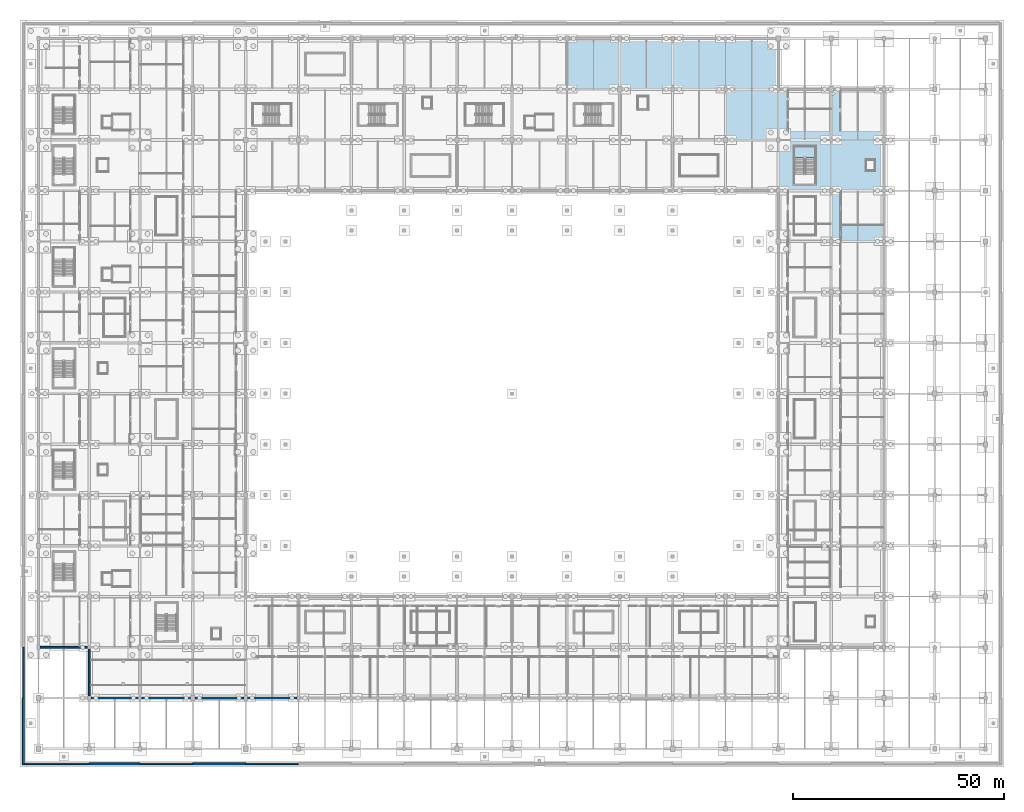
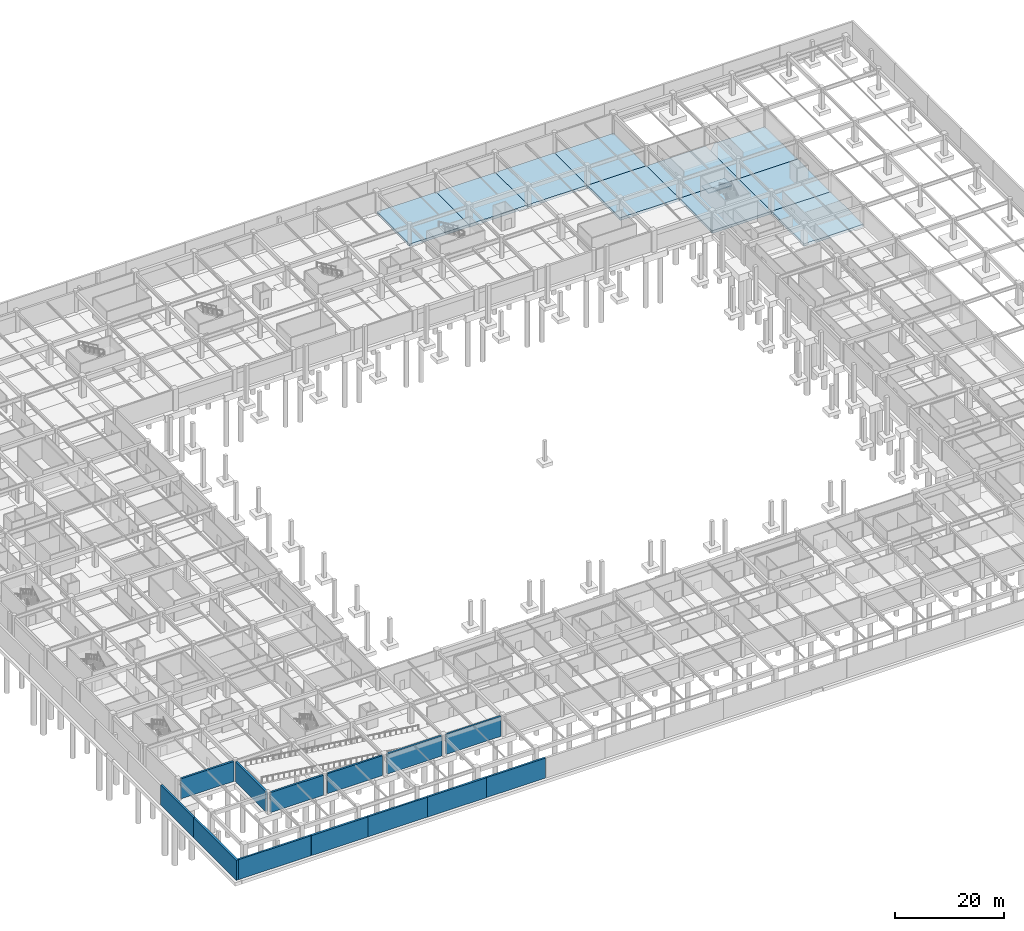
# One storey, part 22 of 56: 13 walls, 11 slabs, 1 element without a shape of its own.
"""IFC4 building model written with IfcOpenShell, lengths in metres."""

from ifc_helpers import new_model, si_unit, direction, frame, frame_2d, origin, place, context, subcontext, project, spatial, polyline, rectangle, outline, extrude, material, layer, layer_set, type_object, element, aggregate, save


model = new_model("IFC4")

# Units and contexts
model_context = context("Model", 3, precision=1e-05, world=origin(), true_north=direction((0.0, 1.0)))
body_context = subcontext(model_context, "Body", "Model", "MODEL_VIEW")
ifc_project = project(units=[si_unit("LENGTHUNIT", "METRE"), si_unit("AREAUNIT", "SQUARE_METRE"), si_unit("VOLUMEUNIT", "CUBIC_METRE"), si_unit("PLANEANGLEUNIT", "RADIAN"), si_unit("MASSUNIT", "GRAM", prefix="KILO")], contexts=[model_context])

# Site, building, storey
site_placement = place(None, origin())
site = spatial("IfcSite", under=ifc_project, at=site_placement, CompositionType="ELEMENT")
building_placement = place(site_placement, origin())
building = spatial("IfcBuilding", under=site, at=building_placement, Name="Kazenohara Klinker Stadium", CompositionType="ELEMENT")
storey_placement = place(building_placement, frame((0.0, 0.0, -4.800048828125)))
storey = spatial("IfcBuildingStorey", under=building, at=storey_placement, Name="B01", CompositionType="ELEMENT", Elevation=-4.800048828125)

# Slabs
ifc_material_1 = material(Name="Concrete C35/45", Category="concrete")
ifc_layer_1 = layer(ifc_material_1, 0.580078125)
ifc_layer_set_1 = layer_set([ifc_layer_1], Name="Concrete C35/45")
slab_type_1 = type_object("IfcSlabType", Name="SLB-BASE-580", PredefinedType="BASESLAB", material=ifc_layer_set_1)
slab_1_placement = place(storey_placement, frame((0.0, 0.0, -0.579833984375)))
element("IfcSlab", 1, at=slab_1_placement, inside=storey, type_object=slab_type_1, Name="Basement base slab BS02 11/P", PredefinedType="BASESLAB", context=body_context, shape_type="SweptSolid", body=[
    extrude(outline(polyline([(125.0, 156.0), (137.5, 156.0), (137.5, 168.0), (125.0, 168.0), (125.0, 156.0)])), origin(), (0.0, 0.0, 1.0), 0.579833984375),
])
slab_2_placement = place(storey_placement, frame((0.0, 0.0, -0.579833984375)))
element("IfcSlab", 2, at=slab_2_placement, inside=storey, type_object=slab_type_1, Name="Basement base slab BS02 13/P", PredefinedType="BASESLAB", context=body_context, shape_type="SweptSolid", body=[
    extrude(outline(polyline([(150.0, 156.0), (162.5, 156.0), (162.5, 168.0), (150.0, 168.0), (150.0, 156.0)])), origin(), (0.0, 0.0, 1.0), 0.579833984375),
])
slab_3_placement = place(storey_placement, frame((0.0, 0.0, -0.579833984375)))
element("IfcSlab", 3, at=slab_3_placement, inside=storey, type_object=slab_type_1, Name="Basement base slab BS02 14/N", PredefinedType="BASESLAB", context=body_context, shape_type="SweptSolid", body=[
    extrude(outline(polyline([(162.5, 144.0), (175.0, 144.0), (175.0, 156.0), (162.5, 156.0), (162.5, 144.0)])), origin(), (0.0, 0.0, 1.0), 0.579833984375),
])
slab_4_placement = place(storey_placement, frame((0.0, 0.0, -0.579833984375)))
element("IfcSlab", 4, at=slab_4_placement, inside=storey, type_object=slab_type_1, Name="Basement base slab BS02 15/M", PredefinedType="BASESLAB", context=body_context, shape_type="SweptSolid", body=[
    extrude(outline(polyline([(175.0, 132.0), (187.5, 132.0), (187.5, 144.0), (175.0, 144.0), (175.0, 132.0)])), origin(), (0.0, 0.0, 1.0), 0.579833984375),
])
slab_5_placement = place(storey_placement, frame((0.0, 0.0, -0.579833984375)))
element("IfcSlab", 5, at=slab_5_placement, inside=storey, type_object=slab_type_1, Name="Basement base slab BS02 16/L", PredefinedType="BASESLAB", context=body_context, shape_type="SweptSolid", body=[
    extrude(outline(polyline([(187.5, 120.0), (200.0, 120.0), (200.0, 132.0), (187.5, 132.0), (187.5, 120.0)])), origin(), (0.0, 0.0, 1.0), 0.579833984375),
])
slab_6_placement = place(storey_placement, frame((0.0, 0.0, -0.579833984375)))
element("IfcSlab", 6, at=slab_6_placement, inside=storey, type_object=slab_type_1, Name="Basement base slab BS02 16/N", PredefinedType="BASESLAB", context=body_context, shape_type="SweptSolid", body=[
    extrude(outline(polyline([(187.5, 144.0), (200.0, 144.0), (200.0, 156.0), (189.300048828125, 156.0), (187.5, 154.199951171875), (187.5, 144.0)])), origin(), (0.0, 0.0, 1.0), 0.579833984375),
])
ifc_layer_2 = layer(ifc_material_1, 0.64990234375)
ifc_layer_set_2 = layer_set([ifc_layer_2], Name="Concrete C35/45")
slab_type_2 = type_object("IfcSlabType", Name="SLB-BASE-650", PredefinedType="BASESLAB", material=ifc_layer_set_2)
slab_7_placement = place(storey_placement, frame((0.0, 0.0, -0.64990234375)))
element("IfcSlab", 7, at=slab_7_placement, inside=storey, type_object=slab_type_2, Name="Basement base slab BS01 12/P", PredefinedType="BASESLAB", context=body_context, shape_type="SweptSolid", body=[
    extrude(outline(polyline([(137.5, 156.0), (150.0, 156.0), (150.0, 168.0), (137.5, 168.0), (137.5, 156.0)])), origin(), (0.0, 0.0, 1.0), 0.64990234375),
])
slab_8_placement = place(storey_placement, frame((0.0, 0.0, -0.64990234375)))
element("IfcSlab", 8, at=slab_8_placement, inside=storey, type_object=slab_type_2, Name="Basement base slab BS01 14/P", PredefinedType="BASESLAB", context=body_context, shape_type="SweptSolid", body=[
    extrude(outline(polyline([(162.5, 156.0), (175.0, 156.0), (175.0, 168.0), (162.5, 168.0), (162.5, 156.0)])), origin(), (0.0, 0.0, 1.0), 0.64990234375),
])
slab_9_placement = place(storey_placement, frame((0.0, 0.0, -0.64990234375)))
element("IfcSlab", 9, at=slab_9_placement, inside=storey, type_object=slab_type_2, Name="Basement base slab BS01 15/N", PredefinedType="BASESLAB", context=body_context, shape_type="SweptSolid", body=[
    extrude(outline(polyline([(175.0, 144.0), (187.5, 144.0), (187.5, 156.0), (175.0, 156.0), (175.0, 144.0)])), origin(), (0.0, 0.0, 1.0), 0.64990234375),
])
slab_10_placement = place(storey_placement, frame((0.0, 0.0, -0.64990234375)))
element("IfcSlab", 10, at=slab_10_placement, inside=storey, type_object=slab_type_2, Name="Basement base slab BS01 16/M", PredefinedType="BASESLAB", context=body_context, shape_type="SweptSolid", body=[
    extrude(outline(polyline([(187.5, 132.0), (200.0, 132.0), (200.0, 144.0), (187.5, 144.0), (187.5, 132.0)])), origin(), (0.0, 0.0, 1.0), 0.64990234375),
])

# Stair, slab
ifc_material_2 = material(Name="Concrete C40/50", Category="concrete")
stair_type = type_object("IfcStairType", Name="STR-DL-2340", PredefinedType="HALF_TURN_STAIR", material=ifc_material_2)
stair_placement = place(storey_placement, origin())
stair = element("IfcStair", 11, at=stair_placement, inside=storey, type_object=stair_type, Name="B01 Enclosed escape stair ST12", PredefinedType="HALF_TURN_STAIR")
ifc_layer_3 = layer(ifc_material_2, 0.199951171875)
ifc_layer_set_3 = layer_set([ifc_layer_3], Name="Concrete C40/50")
slab_type_3 = type_object("IfcSlabType", Name="SLB-LND-200", PredefinedType="LANDING", material=ifc_layer_set_3)
slab_11_placement = place(storey_placement, frame((0.0, 0.0, 2.199951171875)))
slab_11 = element("IfcSlab", 12, at=slab_11_placement, type_object=slab_type_3, Name="ST12 landing 1", PredefinedType="LANDING", context=body_context, shape_type="SweptSolid", body=[
    extrude(outline(polyline([(183.68994140625, 139.800048828125), (183.68994140625, 142.4599609375), (178.81005859375, 142.4599609375), (178.81005859375, 139.800048828125), (183.68994140625, 139.800048828125)])), origin(), (0.0, 0.0, 1.0), 0.2001953125),
])
aggregate(stair, [slab_11])

# Walls
ifc_layer_4 = layer(ifc_material_2, 0.39990234375)
ifc_layer_set_4 = layer_set([ifc_layer_4], Name="Concrete C40/50")
wall_type_1 = type_object("IfcWallType", Name="WAL-B01-PLINTH400", PredefinedType="USERDEFINED", material=ifc_layer_set_4)
wall_1_placement = place(storey_placement, frame((-3.580078125, 12.02001953125, 0.0), z_axis=(0.0, 0.0, 1.0), x_axis=(0.0, 1.0, 0.0)))
element("IfcWall", 13, at=wall_1_placement, inside=storey, type_object=wall_type_1, Name="Street plinth retaining wall RW04 West-02", ObjectType="RETAINING WALL", PredefinedType="USERDEFINED", context=body_context, shape_type="SweptSolid", body=[
    extrude(rectangle(XDim=11.9599609375, YDim=0.39990234375, at=frame_2d((5.97998046875, 0.0))), origin(), (0.0, 0.0, 1.0), 4.4599609375),
])
wall_2_placement = place(storey_placement, frame((-3.320068359375, -3.580078125, 0.0), z_axis=(0.0, 0.0, 1.0), x_axis=(1.0, 0.0, 0.0)))
element("IfcWall", 14, at=wall_2_placement, inside=storey, type_object=wall_type_1, Name="Street plinth retaining wall RW04 South-01", ObjectType="RETAINING WALL", PredefinedType="USERDEFINED", context=body_context, shape_type="SweptSolid", body=[
    extrude(rectangle(XDim=15.300048828125, YDim=0.39990234375, at=frame_2d((7.64990234375, 0.0))), origin(), (0.0, 0.0, 1.0), 4.4599609375),
])
for number, where, z_axis, x_axis, name in (
    (15, (24.02001953125, -3.580078125, 0.0), (0.0, 0.0, 1.0), (1.0, 0.0, 0.0), "Street plinth retaining wall RW04 South-03"),
    (16, (49.02001953125, -3.580078125, 0.0), (0.0, 0.0, 1.0), (1.0, 0.0, 0.0), "Street plinth retaining wall RW04 South-05"),
):
    element("IfcWall", number, at=place(storey_placement, frame(where, z_axis=z_axis, x_axis=x_axis)), inside=storey, type_object=wall_type_1, Name=name, ObjectType="RETAINING WALL", PredefinedType="USERDEFINED", context=body_context, shape_type="SweptSolid", body=[
        extrude(rectangle(XDim=12.4599609375, YDim=0.39990234375, at=frame_2d((6.22998046875, 0.0))), origin(), (0.0, 0.0, 1.0), 4.4599609375),
    ])
ifc_layer_5 = layer(ifc_material_2, 0.43994140625)
ifc_layer_set_5 = layer_set([ifc_layer_5], Name="Concrete C40/50")
wall_type_2 = type_object("IfcWallType", Name="WAL-B01-PLINTH440", PredefinedType="USERDEFINED", material=ifc_layer_set_5)
wall_3_placement = place(storey_placement, frame((-3.580078125, -3.780029296875, 0.0), z_axis=(0.0, 0.0, 1.0), x_axis=(0.0, 1.0, 0.0)))
element("IfcWall", 17, at=wall_3_placement, inside=storey, type_object=wall_type_2, Name="Street plinth retaining wall RW03 West-01", ObjectType="RETAINING WALL", PredefinedType="USERDEFINED", context=body_context, shape_type="SweptSolid", body=[
    extrude(rectangle(XDim=15.760009765625, YDim=0.43994140625, at=frame_2d((7.8798828125, 0.0))), origin(), (0.0, 0.0, 1.0), 4.4599609375),
])
wall_4_placement = place(storey_placement, frame((12.02001953125, -3.580078125, 0.0), z_axis=(0.0, 0.0, 1.0), x_axis=(1.0, 0.0, 0.0)))
element("IfcWall", 18, at=wall_4_placement, inside=storey, type_object=wall_type_2, Name="Street plinth retaining wall RW03 South-02", ObjectType="RETAINING WALL", PredefinedType="USERDEFINED", context=body_context, shape_type="SweptSolid", body=[
    extrude(rectangle(XDim=11.9599609375, YDim=0.43994140625, at=frame_2d((5.97998046875, 0.0))), origin(), (0.0, 0.0, 1.0), 4.4599609375),
])
wall_5_placement = place(storey_placement, frame((36.52001953125, -3.580078125, 0.0), z_axis=(0.0, 0.0, 1.0), x_axis=(1.0, 0.0, 0.0)))
element("IfcWall", 19, at=wall_5_placement, inside=storey, type_object=wall_type_2, Name="Street plinth retaining wall RW03 South-04", ObjectType="RETAINING WALL", PredefinedType="USERDEFINED", context=body_context, shape_type="SweptSolid", body=[
    extrude(rectangle(XDim=12.4599609375, YDim=0.43994140625, at=frame_2d((6.22998046875, 0.0))), origin(), (0.0, 0.0, 1.0), 4.4599609375),
])
ifc_layer_6 = layer(ifc_material_2, 0.3798828125)
ifc_layer_set_6 = layer_set([ifc_layer_6], Name="Concrete C40/50")
wall_type_3 = type_object("IfcWallType", Name="WAL-B01-RET380", PredefinedType="STANDARD", material=ifc_layer_set_6)
wall_6_placement = place(storey_placement, frame((24.428955078125, 12.0, 0.0), z_axis=(0.0, 0.0, 1.0), x_axis=(1.0, 0.0, 0.0)))
element("IfcWall", 20, at=wall_6_placement, inside=storey, type_object=wall_type_3, Name="Basement perimeter retaining wall RW02 X-02-01", PredefinedType="STANDARD", context=body_context, shape_type="SweptSolid", body=[
    extrude(rectangle(XDim=11.567138671875, YDim=0.3798828125, at=frame_2d((5.78369140625, 0.0))), origin(), (0.0, 0.0, 1.0), 4.4599609375),
])
wall_7_placement = place(storey_placement, frame((49.4541015625, 12.0, 0.0), z_axis=(0.0, 0.0, 1.0), x_axis=(1.0, 0.0, 0.0)))
element("IfcWall", 21, at=wall_7_placement, inside=storey, type_object=wall_type_3, Name="Basement perimeter retaining wall RW02 X-04-01", PredefinedType="STANDARD", context=body_context, shape_type="SweptSolid", body=[
    extrude(rectangle(XDim=11.641845703125, YDim=0.3798828125, at=frame_2d((5.82080078125, 0.0))), origin(), (0.0, 0.0, 1.0), 4.4599609375),
])
ifc_layer_7 = layer(ifc_material_2, 0.419921875)
ifc_layer_set_7 = layer_set([ifc_layer_7], Name="Concrete C40/50")
wall_type_4 = type_object("IfcWallType", Name="WAL-B01-RET420", PredefinedType="STANDARD", material=ifc_layer_set_7)
for number, where, z_axis, x_axis, name in (
    (22, (0.404052734375, 24.0, 0.0), (0.0, 0.0, 1.0), (1.0, 0.0, 0.0), "Basement perimeter retaining wall RW01 X-00-02"),
    (23, (12.404052734375, 12.0, 0.0), (0.0, 0.0, 1.0), (1.0, 0.0, 0.0), "Basement perimeter retaining wall RW01 X-01-01"),
):
    element("IfcWall", number, at=place(storey_placement, frame(where, z_axis=z_axis, x_axis=x_axis)), inside=storey, type_object=wall_type_4, Name=name, PredefinedType="STANDARD", context=body_context, shape_type="SweptSolid", body=[
        extrude(rectangle(XDim=11.1669921875, YDim=0.419921875, at=frame_2d((5.58349609375, 0.0))), origin(), (0.0, 0.0, 1.0), 4.4599609375),
    ])
wall_8_placement = place(storey_placement, frame((12.0, 12.50390625, 0.0), z_axis=(0.0, 0.0, 1.0), x_axis=(0.0, 1.0, 0.0)))
element("IfcWall", 24, at=wall_8_placement, inside=storey, type_object=wall_type_4, Name="Basement perimeter retaining wall RW01 Y-01-01", PredefinedType="STANDARD", context=body_context, shape_type="SweptSolid", body=[
    extrude(rectangle(XDim=11.067138671875, YDim=0.419921875, at=frame_2d((5.53369140625, 0.0))), origin(), (0.0, 0.0, 1.0), 4.4599609375),
])
wall_9_placement = place(storey_placement, frame((37.00390625, 12.0, 0.0), z_axis=(0.0, 0.0, 1.0), x_axis=(1.0, 0.0, 0.0)))
element("IfcWall", 25, at=wall_9_placement, inside=storey, type_object=wall_type_4, Name="Basement perimeter retaining wall RW01 X-03-01", PredefinedType="STANDARD", context=body_context, shape_type="SweptSolid", body=[
    extrude(rectangle(XDim=11.5419921875, YDim=0.419921875, at=frame_2d((5.77099609375, 0.0))), origin(), (0.0, 0.0, 1.0), 4.4599609375),
])

save(model, "model.ifc")
